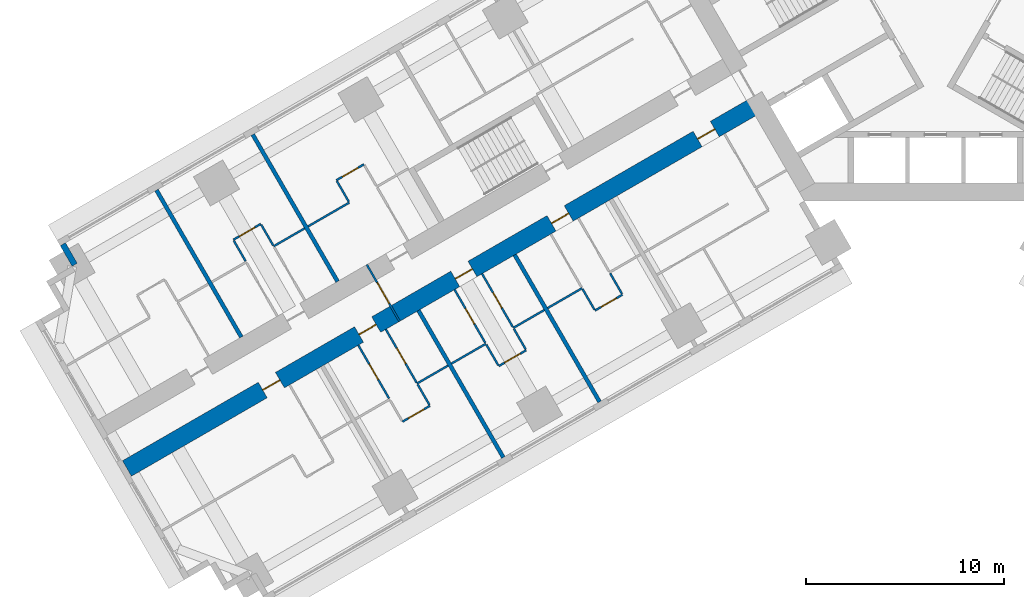
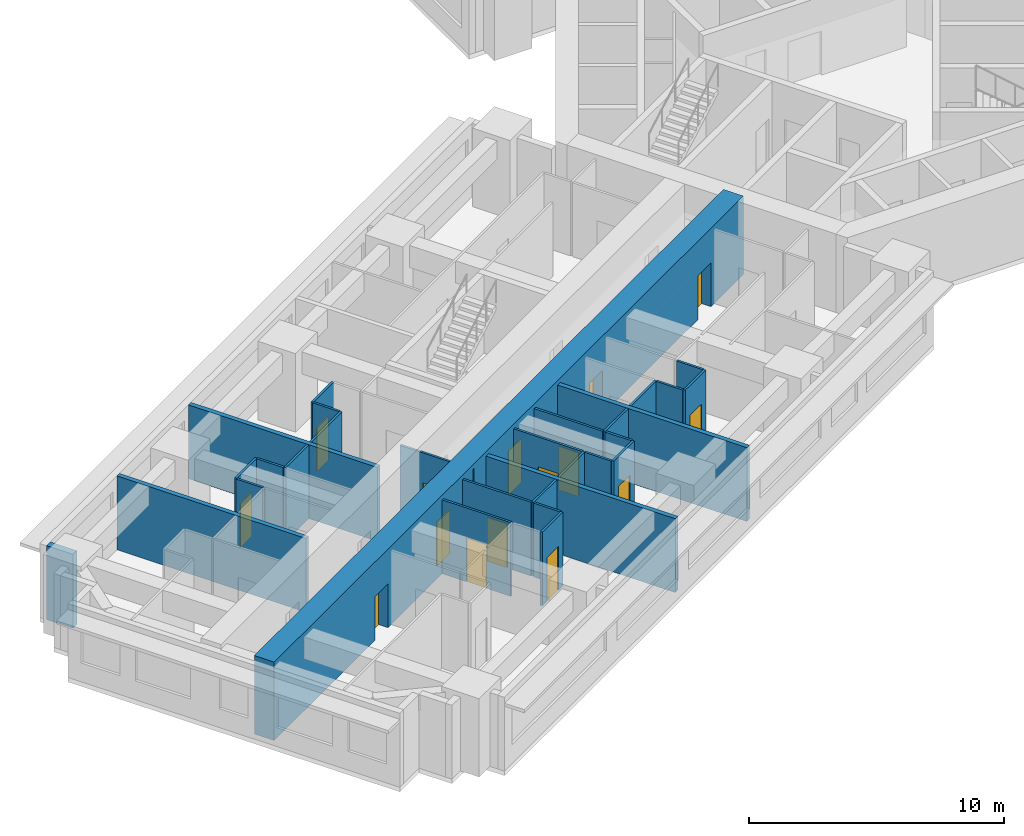
# One storey, part 4 of 16: 30 walls, 15 doors, 15 openings.
"""IFC4 building model written with IfcOpenShell, lengths in metres."""

from ifc_helpers import new_model, si_unit, direction, frame, frame_2d, origin, place, context, subcontext, project, spatial, rectangle, extrude, material, layer, layer_set, type_object, element, fill, save


model = new_model("IFC4")

# Units and contexts
model_context = context("Model", 3, precision=1e-05, world=origin(), true_north=direction((0.0, 1.0)))
body_context = subcontext(model_context, "Body", "Model", "MODEL_VIEW")
ifc_project = project(units=[si_unit("LENGTHUNIT", "METRE"), si_unit("AREAUNIT", "SQUARE_METRE"), si_unit("VOLUMEUNIT", "CUBIC_METRE"), si_unit("PLANEANGLEUNIT", "RADIAN"), si_unit("MASSUNIT", "GRAM", prefix="KILO")], contexts=[model_context])

# Site, building, storey
site_placement = place(None, origin())
site = spatial("IfcSite", under=ifc_project, at=site_placement, CompositionType="ELEMENT")
building_placement = place(site_placement, origin())
building = spatial("IfcBuilding", under=site, at=building_placement, Name="Impinga Residences", CompositionType="ELEMENT")
storey_placement = place(building_placement, frame((0.0, 0.0, 44.75)))
storey = spatial("IfcBuildingStorey", under=building, at=storey_placement, Name="L10", CompositionType="ELEMENT", Elevation=44.75)

# Wall, openings, doors
ifc_material_1 = material(Name="Concrete C70/85", Category="concrete")
ifc_layer_1 = layer(ifc_material_1, 0.89990234375)
ifc_layer_set_1 = layer_set([ifc_layer_1], Name="Concrete C70/85")
wall_type_1 = type_object("IfcWallType", Name="BW1 corridor buttress wall, L05 to L22 900", PredefinedType="SHEAR", material=ifc_layer_set_1)
wall_1_placement = place(storey_placement, frame((-8.910400390625, -6.530029296875, 0.0), z_axis=(0.0, 0.0, 1.0), x_axis=(-0.866025284237, -0.500000207062, 0.0)))
wall_1 = element("IfcWall", 1, at=wall_1_placement, inside=storey, type_object=wall_type_1, Name="Corridor wall BW1 WC L10", PredefinedType="SHEAR", context=body_context, shape_type="SweptSolid", body=[
    extrude(rectangle(XDim=36.75, YDim=0.89990234375, at=frame_2d((18.375, 0.0))), origin(), (0.0, 0.0, 1.0), 3.75),
])
opening_1_placement = place(wall_1_placement, frame((2.550048828125, 0.0, 0.0)))
opening_1 = element("IfcOpeningElement", 2, at=opening_1_placement, cuts=wall_1, Name="Opening D1", PredefinedType="OPENING", context=body_context, shape_type="SweptSolid", body=[
    extrude(rectangle(XDim=1.0, YDim=2.10009765625, at=frame_2d((0.5, 1.050048828125))), frame((0.0, 0.4599609375, 0.0), z_axis=(0.0, -1.0, 0.0), x_axis=(1.0, 0.0, 0.0)), (0.0, 0.0, 1.0), 0.919921875),
])
opening_2_placement = place(wall_1_placement, frame((11.050048828125, 0.0, 0.0)))
opening_2 = element("IfcOpeningElement", 3, at=opening_2_placement, cuts=wall_1, Name="Opening D1", PredefinedType="OPENING", context=body_context, shape_type="SweptSolid", body=[
    extrude(rectangle(XDim=1.0, YDim=2.10009765625, at=frame_2d((0.5, 1.050048828125))), frame((0.0, 0.4599609375, 0.0), z_axis=(0.0, -1.0, 0.0), x_axis=(1.0, 0.0, 0.0)), (0.0, 0.0, 1.0), 0.919921875),
])
opening_3_placement = place(wall_1_placement, frame((16.64990234375, 0.0, 0.0)))
opening_3 = element("IfcOpeningElement", 4, at=opening_3_placement, cuts=wall_1, Name="Opening D1", PredefinedType="OPENING", context=body_context, shape_type="SweptSolid", body=[
    extrude(rectangle(XDim=1.0, YDim=2.10009765625, at=frame_2d((0.5, 1.050048828125))), frame((0.0, 0.4599609375, 0.0), z_axis=(0.0, -1.0, 0.0), x_axis=(1.0, 0.0, 0.0)), (0.0, 0.0, 1.0), 0.919921875),
])
opening_4_placement = place(wall_1_placement, frame((22.25, 0.0, 0.0)))
opening_4 = element("IfcOpeningElement", 5, at=opening_4_placement, cuts=wall_1, Name="Opening D1", PredefinedType="OPENING", context=body_context, shape_type="SweptSolid", body=[
    extrude(rectangle(XDim=1.0, YDim=2.10009765625, at=frame_2d((0.5, 1.050048828125))), frame((0.0, 0.4599609375, 0.0), z_axis=(0.0, -1.0, 0.0), x_axis=(1.0, 0.0, 0.0)), (0.0, 0.0, 1.0), 0.919921875),
])
opening_5_placement = place(wall_1_placement, frame((27.85009765625, 0.0, 0.0)))
opening_5 = element("IfcOpeningElement", 6, at=opening_5_placement, cuts=wall_1, Name="Opening D1", PredefinedType="OPENING", context=body_context, shape_type="SweptSolid", body=[
    extrude(rectangle(XDim=1.0, YDim=2.10009765625, at=frame_2d((0.5, 1.050048828125))), frame((0.0, 0.4599609375, 0.0), z_axis=(0.0, -1.0, 0.0), x_axis=(1.0, 0.0, 0.0)), (0.0, 0.0, 1.0), 0.919921875),
])
ifc_material_2 = material(Name="Timber door set", Category="wood")
door_type_1 = type_object("IfcDoorType", Name="D1 apartment entrance door 1000x2100", OperationType="SINGLE_SWING_LEFT", PredefinedType="DOOR", material=ifc_material_2)
door_1_placement = place(opening_1_placement, origin())
door_1 = element("IfcDoor", 7, at=door_1_placement, inside=storey, type_object=door_type_1, Name="Apartment L10-WA1 entrance", OperationType="SINGLE_SWING_LEFT", OverallHeight=2.10009765625, OverallWidth=1.0, PredefinedType="DOOR", context=body_context, shape_type="SweptSolid", body=[
    extrude(rectangle(XDim=1.0, YDim=2.10009765625, at=frame_2d((0.5, 1.050048828125))), frame((0.0, 0.02490234375, 0.0), z_axis=(0.0, -1.0, 0.0), x_axis=(1.0, 0.0, 0.0)), (0.0, 0.0, 1.0), 0.050048828125),
])
fill(opening_1, door_1)
door_2_placement = place(opening_2_placement, origin())
door_2 = element("IfcDoor", 8, at=door_2_placement, inside=storey, type_object=door_type_1, Name="Apartment L10-WA2 entrance", OperationType="SINGLE_SWING_LEFT", OverallHeight=2.10009765625, OverallWidth=1.0, PredefinedType="DOOR", context=body_context, shape_type="SweptSolid", body=[
    extrude(rectangle(XDim=1.0, YDim=2.10009765625, at=frame_2d((0.5, 1.050048828125))), frame((0.0, 0.02490234375, 0.0), z_axis=(0.0, -1.0, 0.0), x_axis=(1.0, 0.0, 0.0)), (0.0, 0.0, 1.0), 0.050048828125),
])
fill(opening_2, door_2)
door_3_placement = place(opening_3_placement, origin())
door_3 = element("IfcDoor", 9, at=door_3_placement, inside=storey, type_object=door_type_1, Name="Apartment L10-WA3 entrance", OperationType="SINGLE_SWING_LEFT", OverallHeight=2.10009765625, OverallWidth=1.0, PredefinedType="DOOR", context=body_context, shape_type="SweptSolid", body=[
    extrude(rectangle(XDim=1.0, YDim=2.10009765625, at=frame_2d((0.5, 1.050048828125))), frame((0.0, 0.02490234375, 0.0), z_axis=(0.0, -1.0, 0.0), x_axis=(1.0, 0.0, 0.0)), (0.0, 0.0, 1.0), 0.050048828125),
])
fill(opening_3, door_3)
door_4_placement = place(opening_4_placement, origin())
door_4 = element("IfcDoor", 10, at=door_4_placement, inside=storey, type_object=door_type_1, Name="Apartment L10-WA4 entrance", OperationType="SINGLE_SWING_RIGHT", OverallHeight=2.10009765625, OverallWidth=1.0, PredefinedType="DOOR", context=body_context, shape_type="SweptSolid", body=[
    extrude(rectangle(XDim=1.0, YDim=2.10009765625, at=frame_2d((0.5, 1.050048828125))), frame((0.0, 0.02490234375, 0.0), z_axis=(0.0, -1.0, 0.0), x_axis=(1.0, 0.0, 0.0)), (0.0, 0.0, 1.0), 0.050048828125),
])
fill(opening_4, door_4)
door_5_placement = place(opening_5_placement, origin())
door_5 = element("IfcDoor", 11, at=door_5_placement, inside=storey, type_object=door_type_1, Name="Apartment L10-WA5 entrance", OperationType="SINGLE_SWING_RIGHT", OverallHeight=2.10009765625, OverallWidth=1.0, PredefinedType="DOOR", context=body_context, shape_type="SweptSolid", body=[
    extrude(rectangle(XDim=1.0, YDim=2.10009765625, at=frame_2d((0.5, 1.050048828125))), frame((0.0, 0.02490234375, 0.0), z_axis=(0.0, -1.0, 0.0), x_axis=(1.0, 0.0, 0.0)), (0.0, 0.0, 1.0), 0.050048828125),
])
fill(opening_5, door_5)

# Wall, opening, door
ifc_material_3 = material(Name="Concrete blockwork", Category="masonry")
ifc_layer_2 = layer(ifc_material_3, 0.10009765625)
ifc_layer_set_2 = layer_set([ifc_layer_2], Name="CP1 core room partition, blockwork 100")
wall_type_2 = type_object("IfcWallType", Name="CP1 core room partition, blockwork 100", PredefinedType="PARTITIONING", material=ifc_layer_set_2)
wall_2_placement = place(storey_placement, frame((-27.002197265625, -17.494873046875, 0.0), z_axis=(0.0, 0.0, 1.0), x_axis=(-0.499974350878, 0.866040211805, 0.0)))
wall_2 = element("IfcWall", 12, at=wall_2_placement, inside=storey, type_object=wall_type_2, Name="Core room partition, blockwork L10:W:SCR", PredefinedType="PARTITIONING", context=body_context, shape_type="SweptSolid", body=[
    extrude(rectangle(XDim=3.300048828125, YDim=0.10009765625, at=frame_2d((1.64990234375, 0.0))), origin(), (0.0, 0.0, 1.0), 3.530029296875),
])
opening_6_placement = place(wall_2_placement, frame((1.050048828125, 0.0, 0.0)))
opening_6 = element("IfcOpeningElement", 13, at=opening_6_placement, cuts=wall_2, Name="Opening D3", PredefinedType="OPENING", context=body_context, shape_type="SweptSolid", body=[
    extrude(rectangle(XDim=1.199951171875, YDim=2.10009765625, at=frame_2d((0.60009765625, 1.050048828125))), frame((0.0, 0.06005859375, 0.0), z_axis=(0.0, -1.0, 0.0), x_axis=(1.0, 0.0, 0.0)), (0.0, 0.0, 1.0), 0.1201171875),
])
door_type_2 = type_object("IfcDoorType", Name="D3 room door, leaf and a half 1200x2100", OperationType="DOUBLE_SWING_LEFT", PredefinedType="DOOR", material=ifc_material_2)
door_6_placement = place(opening_6_placement, origin())
door_6 = element("IfcDoor", 14, at=door_6_placement, inside=storey, type_object=door_type_2, Name="Corridor smoke door W", OperationType="DOUBLE_SWING_LEFT", OverallHeight=2.10009765625, OverallWidth=1.199951171875, PredefinedType="DOOR", context=body_context, shape_type="SweptSolid", body=[
    extrude(rectangle(XDim=1.199951171875, YDim=2.10009765625, at=frame_2d((0.60009765625, 1.050048828125))), frame((0.0, 0.02490234375, 0.0), z_axis=(0.0, -1.0, 0.0), x_axis=(1.0, 0.0, 0.0)), (0.0, 0.0, 1.0), 0.050048828125),
])
fill(opening_6, door_6)

# Walls
ifc_material_4 = material(Name="Terracotta rainscreen on blockwork", Category="masonry")
ifc_layer_3 = layer(ifc_material_4, 0.300048828125)
ifc_layer_set_3 = layer_set([ifc_layer_3], Name="EW1 external wall, terracotta rainscreen on blockwork 300")
wall_type_3 = type_object("IfcWallType", Name="EW1 external wall, terracotta rainscreen on blockwork 300", PredefinedType="SOLIDWALL", material=ifc_layer_set_3)
wall_3_placement = place(storey_placement, frame((-43.37109375, -14.64208984375, 0.0), z_axis=(0.0, 0.0, 1.0), x_axis=(-0.500029051137, 0.866008630453, 0.0)))
element("IfcWall", 15, at=wall_3_placement, inside=storey, type_object=wall_type_3, Name="External wall EW1 L10", PredefinedType="SOLIDWALL", context=body_context, shape_type="SweptSolid", body=[
    extrude(rectangle(XDim=1.19482421875, YDim=0.300048828125, at=frame_2d((0.597412109375, 0.0))), origin(), (0.0, 0.0, 1.0), 3.530029296875),
])
ifc_material_5 = material(Name="Gypsum board on steel studs", Category="steel")
ifc_layer_4 = layer(ifc_material_5, 0.10009765625)
ifc_layer_set_4 = layer_set([ifc_layer_4], Name="Gypsum board on steel studs")
wall_type_4 = type_object("IfcWallType", Name="IP1 partition 100", PredefinedType="PARTITIONING", material=ifc_layer_set_4)
wall_4_placement = place(storey_placement, frame((-17.8056640625, -15.82275390625, 0.0), z_axis=(0.0, 0.0, 1.0), x_axis=(-0.866041268327, -0.499972520799, 0.0)))
element("IfcWall", 16, at=wall_4_placement, inside=storey, type_object=wall_type_4, Name="Partition L10-WA2:DIV1", PredefinedType="PARTITIONING", context=body_context, shape_type="SweptSolid", body=[
    extrude(rectangle(XDim=2.0, YDim=0.10009765625, at=frame_2d((1.0, 0.0))), origin(), (0.0, 0.0, 1.0), 3.530029296875),
])

# Wall, opening, door
wall_5_placement = place(storey_placement, frame((-15.77001953125, -16.1484375, 0.0), z_axis=(0.0, 0.0, 1.0), x_axis=(-0.866028054938, -0.499995408039, 0.0)))
wall_5 = element("IfcWall", 17, at=wall_5_placement, inside=storey, type_object=wall_type_4, Name="Partition L10-WA2:STRIP", PredefinedType="PARTITIONING", context=body_context, shape_type="SweptSolid", body=[
    extrude(rectangle(XDim=1.60009765625, YDim=0.10009765625, at=frame_2d((0.800048828125, 0.0))), origin(), (0.0, 0.0, 1.0), 3.530029296875),
])
opening_7_placement = place(wall_5_placement, frame((0.35009765625, 0.0, 0.0)))
opening_7 = element("IfcOpeningElement", 18, at=opening_7_placement, cuts=wall_5, Name="Opening D2", PredefinedType="OPENING", context=body_context, shape_type="SweptSolid", body=[
    extrude(rectangle(XDim=0.89990234375, YDim=2.10009765625, at=frame_2d((0.449951171875, 1.050048828125))), frame((0.0, 0.06005859375, 0.0), z_axis=(0.0, -1.0, 0.0), x_axis=(1.0, 0.0, 0.0)), (0.0, 0.0, 1.0), 0.1201171875),
])
door_type_3 = type_object("IfcDoorType", Name="D2 internal door 900x2100", OperationType="SINGLE_SWING_LEFT", PredefinedType="DOOR", material=ifc_material_2)
door_7_placement = place(opening_7_placement, origin())
door_7 = element("IfcDoor", 19, at=door_7_placement, inside=storey, type_object=door_type_3, Name="Apartment L10-WA2 room door", OperationType="SINGLE_SWING_LEFT", OverallHeight=2.10009765625, OverallWidth=0.89990234375, PredefinedType="DOOR", context=body_context, shape_type="SweptSolid", body=[
    extrude(rectangle(XDim=0.89990234375, YDim=2.10009765625, at=frame_2d((0.449951171875, 1.050048828125))), frame((0.0, 0.02490234375, 0.0), z_axis=(0.0, -1.0, 0.0), x_axis=(1.0, 0.0, 0.0)), (0.0, 0.0, 1.0), 0.050048828125),
])
fill(opening_7, door_7)

# Walls
wall_6_placement = place(storey_placement, frame((-16.39501953125, -15.06591796875, 0.0), z_axis=(0.0, 0.0, 1.0), x_axis=(0.499880961361, -0.866094119867, 0.0)))
element("IfcWall", 20, at=wall_6_placement, inside=storey, type_object=wall_type_4, Name="Partition L10-WA2:SE0", PredefinedType="PARTITIONING", context=body_context, shape_type="SweptSolid", body=[
    extrude(rectangle(XDim=1.199951171875, YDim=0.10009765625, at=frame_2d((0.60009765625, 0.0))), origin(), (0.0, 0.0, 1.0), 3.530029296875),
])
wall_7_placement = place(storey_placement, frame((-17.78076171875, -15.865966796875, 0.0), z_axis=(0.0, 0.0, 1.0), x_axis=(0.500033551112, -0.866006032174, 0.0)))
element("IfcWall", 21, at=wall_7_placement, inside=storey, type_object=wall_type_4, Name="Partition L10-WA2:SE1", PredefinedType="PARTITIONING", context=body_context, shape_type="SweptSolid", body=[
    extrude(rectangle(XDim=1.2001953125, YDim=0.10009765625, at=frame_2d((0.60009765625, 0.0))), origin(), (0.0, 0.0, 1.0), 3.530029296875),
])
wall_8_placement = place(storey_placement, frame((-19.7109375, -16.922607421875, 0.0), z_axis=(0.0, 0.0, 1.0), x_axis=(-0.865989075817, -0.500062916607, 0.0)))
element("IfcWall", 22, at=wall_8_placement, inside=storey, type_object=wall_type_4, Name="Partition L10-WA3:DIV0", PredefinedType="PARTITIONING", context=body_context, shape_type="SweptSolid", body=[
    extrude(rectangle(XDim=1.800048828125, YDim=0.10009765625, at=frame_2d((0.89990234375, 0.0))), origin(), (0.0, 0.0, 1.0), 3.530029296875),
])
wall_9_placement = place(storey_placement, frame((-22.655517578125, -18.622802734375, 0.0), z_axis=(0.0, 0.0, 1.0), x_axis=(-0.866010750942, -0.50002537861, 0.0)))
element("IfcWall", 23, at=wall_9_placement, inside=storey, type_object=wall_type_4, Name="Partition L10-WA3:DIV1", PredefinedType="PARTITIONING", context=body_context, shape_type="SweptSolid", body=[
    extrude(rectangle(XDim=2.0, YDim=0.10009765625, at=frame_2d((1.0, 0.0))), origin(), (0.0, 0.0, 1.0), 3.530029296875),
])

# Wall, opening, door
wall_10_placement = place(storey_placement, frame((-20.619873046875, -18.948486328125, 0.0), z_axis=(0.0, 0.0, 1.0), x_axis=(-0.865989903783, -0.500061482766, 0.0)))
wall_10 = element("IfcWall", 24, at=wall_10_placement, inside=storey, type_object=wall_type_4, Name="Partition L10-WA3:STRIP", PredefinedType="PARTITIONING", context=body_context, shape_type="SweptSolid", body=[
    extrude(rectangle(XDim=1.599853515625, YDim=0.10009765625, at=frame_2d((0.7998046875, 0.0))), origin(), (0.0, 0.0, 1.0), 3.530029296875),
])
opening_8_placement = place(wall_10_placement, frame((0.35009765625, 0.0, 0.0)))
opening_8 = element("IfcOpeningElement", 25, at=opening_8_placement, cuts=wall_10, Name="Opening D2", PredefinedType="OPENING", context=body_context, shape_type="SweptSolid", body=[
    extrude(rectangle(XDim=0.89990234375, YDim=2.10009765625, at=frame_2d((0.449951171875, 1.050048828125))), frame((0.0, 0.06005859375, 0.0), z_axis=(0.0, -1.0, 0.0), x_axis=(1.0, 0.0, 0.0)), (0.0, 0.0, 1.0), 0.1201171875),
])
door_8_placement = place(opening_8_placement, origin())
door_8 = element("IfcDoor", 26, at=door_8_placement, inside=storey, type_object=door_type_3, Name="Apartment L10-WA3 room door", OperationType="SINGLE_SWING_LEFT", OverallHeight=2.10009765625, OverallWidth=0.89990234375, PredefinedType="DOOR", context=body_context, shape_type="SweptSolid", body=[
    extrude(rectangle(XDim=0.89990234375, YDim=2.10009765625, at=frame_2d((0.449951171875, 1.050048828125))), frame((0.0, 0.02490234375, 0.0), z_axis=(0.0, -1.0, 0.0), x_axis=(1.0, 0.0, 0.0)), (0.0, 0.0, 1.0), 0.050048828125),
])
fill(opening_8, door_8)

# Walls
wall_11_placement = place(storey_placement, frame((-21.244873046875, -17.865966796875, 0.0), z_axis=(0.0, 0.0, 1.0), x_axis=(0.500033551112, -0.866006032174, 0.0)))
element("IfcWall", 27, at=wall_11_placement, inside=storey, type_object=wall_type_4, Name="Partition L10-WA3:SE0", PredefinedType="PARTITIONING", context=body_context, shape_type="SweptSolid", body=[
    extrude(rectangle(XDim=1.2001953125, YDim=0.10009765625, at=frame_2d((0.60009765625, 0.0))), origin(), (0.0, 0.0, 1.0), 3.530029296875),
])
wall_12_placement = place(storey_placement, frame((-22.63037109375, -18.666015625, 0.0), z_axis=(0.0, 0.0, 1.0), x_axis=(0.499880961361, -0.866094119867, 0.0)))
element("IfcWall", 28, at=wall_12_placement, inside=storey, type_object=wall_type_4, Name="Partition L10-WA3:SE1", PredefinedType="PARTITIONING", context=body_context, shape_type="SweptSolid", body=[
    extrude(rectangle(XDim=1.199951171875, YDim=0.10009765625, at=frame_2d((0.60009765625, 0.0))), origin(), (0.0, 0.0, 1.0), 3.530029296875),
])

# Wall, opening, door
wall_13_placement = place(storey_placement, frame((-22.8447265625, -15.0947265625, 0.0), z_axis=(0.0, 0.0, 1.0), x_axis=(0.499967891604, -0.866043940782, 0.0)))
wall_13 = element("IfcWall", 29, at=wall_13_placement, inside=storey, type_object=wall_type_4, Name="Partition L10-WA3:IB1", PredefinedType="PARTITIONING", context=body_context, shape_type="SweptSolid", body=[
    extrude(rectangle(XDim=3.099853515625, YDim=0.10009765625, at=frame_2d((1.5498046875, 0.0))), origin(), (0.0, 0.0, 1.0), 3.530029296875),
])
opening_9_placement = place(wall_13_placement, frame((1.10009765625, 0.0, 0.0)))
opening_9 = element("IfcOpeningElement", 30, at=opening_9_placement, cuts=wall_13, Name="Opening D2", PredefinedType="OPENING", context=body_context, shape_type="SweptSolid", body=[
    extrude(rectangle(XDim=0.89990234375, YDim=2.10009765625, at=frame_2d((0.449951171875, 1.050048828125))), frame((0.0, 0.06005859375, 0.0), z_axis=(0.0, -1.0, 0.0), x_axis=(1.0, 0.0, 0.0)), (0.0, 0.0, 1.0), 0.1201171875),
])
door_9_placement = place(opening_9_placement, origin())
door_9 = element("IfcDoor", 31, at=door_9_placement, inside=storey, type_object=door_type_3, Name="Apartment L10-WA3 bathroom door", OperationType="SINGLE_SWING_LEFT", OverallHeight=2.10009765625, OverallWidth=0.89990234375, PredefinedType="DOOR", context=body_context, shape_type="SweptSolid", body=[
    extrude(rectangle(XDim=0.89990234375, YDim=2.10009765625, at=frame_2d((0.449951171875, 1.050048828125))), frame((0.0, 0.02490234375, 0.0), z_axis=(0.0, -1.0, 0.0), x_axis=(1.0, 0.0, 0.0)), (0.0, 0.0, 1.0), 0.050048828125),
])
fill(opening_9, door_9)

wall_14_placement = place(storey_placement, frame((-24.23046875, -15.894775390625, 0.0), z_axis=(0.0, 0.0, 1.0), x_axis=(0.500026960575, -0.86600983753, 0.0)))
wall_14 = element("IfcWall", 32, at=wall_14_placement, inside=storey, type_object=wall_type_4, Name="Partition L10-WA3:IB2", PredefinedType="PARTITIONING", context=body_context, shape_type="SweptSolid", body=[
    extrude(rectangle(XDim=3.099853515625, YDim=0.10009765625, at=frame_2d((1.5498046875, 0.0))), origin(), (0.0, 0.0, 1.0), 3.530029296875),
])
opening_10_placement = place(wall_14_placement, frame((1.10009765625, 0.0, 0.0)))
opening_10 = element("IfcOpeningElement", 33, at=opening_10_placement, cuts=wall_14, Name="Opening D2", PredefinedType="OPENING", context=body_context, shape_type="SweptSolid", body=[
    extrude(rectangle(XDim=0.89990234375, YDim=2.10009765625, at=frame_2d((0.449951171875, 1.050048828125))), frame((0.0, 0.06005859375, 0.0), z_axis=(0.0, -1.0, 0.0), x_axis=(1.0, 0.0, 0.0)), (0.0, 0.0, 1.0), 0.1201171875),
])
door_10_placement = place(opening_10_placement, origin())
door_10 = element("IfcDoor", 34, at=door_10_placement, inside=storey, type_object=door_type_3, Name="Apartment L10-WA3 WC door", OperationType="SINGLE_SWING_LEFT", OverallHeight=2.10009765625, OverallWidth=0.89990234375, PredefinedType="DOOR", context=body_context, shape_type="SweptSolid", body=[
    extrude(rectangle(XDim=0.89990234375, YDim=2.10009765625, at=frame_2d((0.449951171875, 1.050048828125))), frame((0.0, 0.02490234375, 0.0), z_axis=(0.0, -1.0, 0.0), x_axis=(1.0, 0.0, 0.0)), (0.0, 0.0, 1.0), 0.050048828125),
])
fill(opening_10, door_10)

# Wall
wall_15_placement = place(storey_placement, frame((-24.560791015625, -19.72265625, 0.0), z_axis=(0.0, 0.0, 1.0), x_axis=(-0.865989075817, -0.500062916607, 0.0)))
element("IfcWall", 35, at=wall_15_placement, inside=storey, type_object=wall_type_4, Name="Partition L10-WA4:DIV0", PredefinedType="PARTITIONING", context=body_context, shape_type="SweptSolid", body=[
    extrude(rectangle(XDim=1.800048828125, YDim=0.10009765625, at=frame_2d((0.89990234375, 0.0))), origin(), (0.0, 0.0, 1.0), 3.530029296875),
])

# Wall, opening, door
wall_16_placement = place(storey_placement, frame((-25.469482421875, -21.74853515625, 0.0), z_axis=(0.0, 0.0, 1.0), x_axis=(-0.866028054938, -0.499995408039, 0.0)))
wall_16 = element("IfcWall", 36, at=wall_16_placement, inside=storey, type_object=wall_type_4, Name="Partition L10-WA4:STRIP", PredefinedType="PARTITIONING", context=body_context, shape_type="SweptSolid", body=[
    extrude(rectangle(XDim=1.60009765625, YDim=0.10009765625, at=frame_2d((0.800048828125, 0.0))), origin(), (0.0, 0.0, 1.0), 3.530029296875),
])
opening_11_placement = place(wall_16_placement, frame((0.35009765625, 0.0, 0.0)))
opening_11 = element("IfcOpeningElement", 37, at=opening_11_placement, cuts=wall_16, Name="Opening D2", PredefinedType="OPENING", context=body_context, shape_type="SweptSolid", body=[
    extrude(rectangle(XDim=0.89990234375, YDim=2.10009765625, at=frame_2d((0.449951171875, 1.050048828125))), frame((0.0, 0.06005859375, 0.0), z_axis=(0.0, -1.0, 0.0), x_axis=(1.0, 0.0, 0.0)), (0.0, 0.0, 1.0), 0.1201171875),
])
door_11_placement = place(opening_11_placement, origin())
door_11 = element("IfcDoor", 38, at=door_11_placement, inside=storey, type_object=door_type_3, Name="Apartment L10-WA4 room door", OperationType="SINGLE_SWING_LEFT", OverallHeight=2.10009765625, OverallWidth=0.89990234375, PredefinedType="DOOR", context=body_context, shape_type="SweptSolid", body=[
    extrude(rectangle(XDim=0.89990234375, YDim=2.10009765625, at=frame_2d((0.449951171875, 1.050048828125))), frame((0.0, 0.02490234375, 0.0), z_axis=(0.0, -1.0, 0.0), x_axis=(1.0, 0.0, 0.0)), (0.0, 0.0, 1.0), 0.050048828125),
])
fill(opening_11, door_11)

# Wall
wall_17_placement = place(storey_placement, frame((-26.094482421875, -20.666015625, 0.0), z_axis=(0.0, 0.0, 1.0), x_axis=(0.499880961361, -0.866094119867, 0.0)))
element("IfcWall", 39, at=wall_17_placement, inside=storey, type_object=wall_type_4, Name="Partition L10-WA4:SE0", PredefinedType="PARTITIONING", context=body_context, shape_type="SweptSolid", body=[
    extrude(rectangle(XDim=1.199951171875, YDim=0.10009765625, at=frame_2d((0.60009765625, 0.0))), origin(), (0.0, 0.0, 1.0), 3.530029296875),
])

# Wall, opening, door
wall_18_placement = place(storey_placement, frame((-27.694580078125, -17.894775390625, 0.0), z_axis=(0.0, 0.0, 1.0), x_axis=(0.500026960575, -0.86600983753, 0.0)))
wall_18 = element("IfcWall", 40, at=wall_18_placement, inside=storey, type_object=wall_type_4, Name="Partition L10-WA4:IB1", PredefinedType="PARTITIONING", context=body_context, shape_type="SweptSolid", body=[
    extrude(rectangle(XDim=3.099853515625, YDim=0.10009765625, at=frame_2d((1.5498046875, 0.0))), origin(), (0.0, 0.0, 1.0), 3.530029296875),
])
opening_12_placement = place(wall_18_placement, frame((1.10009765625, 0.0, 0.0)))
opening_12 = element("IfcOpeningElement", 41, at=opening_12_placement, cuts=wall_18, Name="Opening D2", PredefinedType="OPENING", context=body_context, shape_type="SweptSolid", body=[
    extrude(rectangle(XDim=0.89990234375, YDim=2.10009765625, at=frame_2d((0.449951171875, 1.050048828125))), frame((0.0, 0.06005859375, 0.0), z_axis=(0.0, -1.0, 0.0), x_axis=(1.0, 0.0, 0.0)), (0.0, 0.0, 1.0), 0.1201171875),
])
door_12_placement = place(opening_12_placement, origin())
door_12 = element("IfcDoor", 42, at=door_12_placement, inside=storey, type_object=door_type_3, Name="Apartment L10-WA4 bathroom door", OperationType="SINGLE_SWING_LEFT", OverallHeight=2.10009765625, OverallWidth=0.89990234375, PredefinedType="DOOR", context=body_context, shape_type="SweptSolid", body=[
    extrude(rectangle(XDim=0.89990234375, YDim=2.10009765625, at=frame_2d((0.449951171875, 1.050048828125))), frame((0.0, 0.02490234375, 0.0), z_axis=(0.0, -1.0, 0.0), x_axis=(1.0, 0.0, 0.0)), (0.0, 0.0, 1.0), 0.050048828125),
])
fill(opening_12, door_12)

wall_19_placement = place(storey_placement, frame((-29.080078125, -18.69482421875, 0.0), z_axis=(0.0, 0.0, 1.0), x_axis=(0.499967891604, -0.866043940782, 0.0)))
wall_19 = element("IfcWall", 43, at=wall_19_placement, inside=storey, type_object=wall_type_4, Name="Partition L10-WA4:IB2", PredefinedType="PARTITIONING", context=body_context, shape_type="SweptSolid", body=[
    extrude(rectangle(XDim=3.099853515625, YDim=0.10009765625, at=frame_2d((1.5498046875, 0.0))), origin(), (0.0, 0.0, 1.0), 3.530029296875),
])
opening_13_placement = place(wall_19_placement, frame((1.10009765625, 0.0, 0.0)))
opening_13 = element("IfcOpeningElement", 44, at=opening_13_placement, cuts=wall_19, Name="Opening D2", PredefinedType="OPENING", context=body_context, shape_type="SweptSolid", body=[
    extrude(rectangle(XDim=0.89990234375, YDim=2.10009765625, at=frame_2d((0.449951171875, 1.050048828125))), frame((0.0, 0.06005859375, 0.0), z_axis=(0.0, -1.0, 0.0), x_axis=(1.0, 0.0, 0.0)), (0.0, 0.0, 1.0), 0.1201171875),
])
door_13_placement = place(opening_13_placement, origin())
door_13 = element("IfcDoor", 45, at=door_13_placement, inside=storey, type_object=door_type_3, Name="Apartment L10-WA4 WC door", OperationType="SINGLE_SWING_LEFT", OverallHeight=2.10009765625, OverallWidth=0.89990234375, PredefinedType="DOOR", context=body_context, shape_type="SweptSolid", body=[
    extrude(rectangle(XDim=0.89990234375, YDim=2.10009765625, at=frame_2d((0.449951171875, 1.050048828125))), frame((0.0, 0.02490234375, 0.0), z_axis=(0.0, -1.0, 0.0), x_axis=(1.0, 0.0, 0.0)), (0.0, 0.0, 1.0), 0.050048828125),
])
fill(opening_13, door_13)

# Wall
wall_20_placement = place(storey_placement, frame((-29.533935546875, -11.5087890625, 0.0), z_axis=(0.0, 0.0, 1.0), x_axis=(-0.866024647952, -0.500001309137, 0.0)))
element("IfcWall", 46, at=wall_20_placement, inside=storey, type_object=wall_type_4, Name="Partition L10-WF2:DIV1", PredefinedType="PARTITIONING", context=body_context, shape_type="SweptSolid", body=[
    extrude(rectangle(XDim=2.39990234375, YDim=0.10009765625, at=frame_2d((1.199951171875, 0.0))), origin(), (0.0, 0.0, 1.0), 3.530029296875),
])

# Wall, opening, door
wall_21_placement = place(storey_placement, frame((-28.79833984375, -9.5830078125, 0.0), z_axis=(0.0, 0.0, 1.0), x_axis=(-0.865989903783, -0.500061482766, 0.0)))
wall_21 = element("IfcWall", 47, at=wall_21_placement, inside=storey, type_object=wall_type_4, Name="Partition L10-WF2:STRIP", PredefinedType="PARTITIONING", context=body_context, shape_type="SweptSolid", body=[
    extrude(rectangle(XDim=1.599853515625, YDim=0.10009765625, at=frame_2d((0.7998046875, 0.0))), origin(), (0.0, 0.0, 1.0), 3.530029296875),
])
opening_14_placement = place(wall_21_placement, frame((0.35009765625, 0.0, 0.0)))
opening_14 = element("IfcOpeningElement", 48, at=opening_14_placement, cuts=wall_21, Name="Opening D2", PredefinedType="OPENING", context=body_context, shape_type="SweptSolid", body=[
    extrude(rectangle(XDim=0.89990234375, YDim=2.10009765625, at=frame_2d((0.449951171875, 1.050048828125))), frame((0.0, 0.06005859375, 0.0), z_axis=(0.0, -1.0, 0.0), x_axis=(1.0, 0.0, 0.0)), (0.0, 0.0, 1.0), 0.1201171875),
])
door_14_placement = place(opening_14_placement, origin())
door_14 = element("IfcDoor", 49, at=door_14_placement, inside=storey, type_object=door_type_3, Name="Apartment L10-WF2 room door", OperationType="SINGLE_SWING_LEFT", OverallHeight=2.10009765625, OverallWidth=0.89990234375, PredefinedType="DOOR", context=body_context, shape_type="SweptSolid", body=[
    extrude(rectangle(XDim=0.89990234375, YDim=2.10009765625, at=frame_2d((0.449951171875, 1.050048828125))), frame((0.0, 0.02490234375, 0.0), z_axis=(0.0, -1.0, 0.0), x_axis=(1.0, 0.0, 0.0)), (0.0, 0.0, 1.0), 0.050048828125),
])
fill(opening_14, door_14)

# Walls
wall_22_placement = place(storey_placement, frame((-29.558837890625, -11.465576171875, 0.0), z_axis=(0.0, 0.0, 1.0), x_axis=(-0.500033551112, 0.866006032174, 0.0)))
element("IfcWall", 50, at=wall_22_placement, inside=storey, type_object=wall_type_4, Name="Partition L10-WF2:SE1", PredefinedType="PARTITIONING", context=body_context, shape_type="SweptSolid", body=[
    extrude(rectangle(XDim=1.2001953125, YDim=0.10009765625, at=frame_2d((0.60009765625, 0.0))), origin(), (0.0, 0.0, 1.0), 3.530029296875),
])
wall_23_placement = place(storey_placement, frame((-31.78564453125, -12.808837890625, 0.0), z_axis=(0.0, 0.0, 1.0), x_axis=(-0.866047807691, -0.499961193289, 0.0)))
element("IfcWall", 51, at=wall_23_placement, inside=storey, type_object=wall_type_4, Name="Partition L10-WF3:DIV0", PredefinedType="PARTITIONING", context=body_context, shape_type="SweptSolid", body=[
    extrude(rectangle(XDim=1.800048828125, YDim=0.10009765625, at=frame_2d((0.89990234375, 0.0))), origin(), (0.0, 0.0, 1.0), 3.530029296875),
])

# Wall, opening, door
wall_24_placement = place(storey_placement, frame((-33.994384765625, -12.5830078125, 0.0), z_axis=(0.0, 0.0, 1.0), x_axis=(-0.866028054938, -0.499995408039, 0.0)))
wall_24 = element("IfcWall", 52, at=wall_24_placement, inside=storey, type_object=wall_type_4, Name="Partition L10-WF3:STRIP", PredefinedType="PARTITIONING", context=body_context, shape_type="SweptSolid", body=[
    extrude(rectangle(XDim=1.60009765625, YDim=0.10009765625, at=frame_2d((0.800048828125, 0.0))), origin(), (0.0, 0.0, 1.0), 3.530029296875),
])
opening_15_placement = place(wall_24_placement, frame((0.35009765625, 0.0, 0.0)))
opening_15 = element("IfcOpeningElement", 53, at=opening_15_placement, cuts=wall_24, Name="Opening D2", PredefinedType="OPENING", context=body_context, shape_type="SweptSolid", body=[
    extrude(rectangle(XDim=0.89990234375, YDim=2.10009765625, at=frame_2d((0.449951171875, 1.050048828125))), frame((0.0, 0.06005859375, 0.0), z_axis=(0.0, -1.0, 0.0), x_axis=(1.0, 0.0, 0.0)), (0.0, 0.0, 1.0), 0.1201171875),
])
door_15_placement = place(opening_15_placement, origin())
door_15 = element("IfcDoor", 54, at=door_15_placement, inside=storey, type_object=door_type_3, Name="Apartment L10-WF3 room door", OperationType="SINGLE_SWING_LEFT", OverallHeight=2.10009765625, OverallWidth=0.89990234375, PredefinedType="DOOR", context=body_context, shape_type="SweptSolid", body=[
    extrude(rectangle(XDim=0.89990234375, YDim=2.10009765625, at=frame_2d((0.449951171875, 1.050048828125))), frame((0.0, 0.02490234375, 0.0), z_axis=(0.0, -1.0, 0.0), x_axis=(1.0, 0.0, 0.0)), (0.0, 0.0, 1.0), 0.050048828125),
])
fill(opening_15, door_15)

# Walls
wall_25_placement = place(storey_placement, frame((-33.369384765625, -13.66552734375, 0.0), z_axis=(0.0, 0.0, 1.0), x_axis=(-0.500033551112, 0.866006032174, 0.0)))
element("IfcWall", 55, at=wall_25_placement, inside=storey, type_object=wall_type_4, Name="Partition L10-WF3:SE0", PredefinedType="PARTITIONING", context=body_context, shape_type="SweptSolid", body=[
    extrude(rectangle(XDim=1.2001953125, YDim=0.10009765625, at=frame_2d((0.60009765625, 0.0))), origin(), (0.0, 0.0, 1.0), 3.530029296875),
])
wall_26_placement = place(storey_placement, frame((-34.755126953125, -14.465576171875, 0.0), z_axis=(0.0, 0.0, 1.0), x_axis=(-0.499880961361, 0.866094119867, 0.0)))
element("IfcWall", 56, at=wall_26_placement, inside=storey, type_object=wall_type_4, Name="Partition L10-WF3:SE1", PredefinedType="PARTITIONING", context=body_context, shape_type="SweptSolid", body=[
    extrude(rectangle(XDim=1.199951171875, YDim=0.10009765625, at=frame_2d((0.60009765625, 0.0))), origin(), (0.0, 0.0, 1.0), 3.530029296875),
])
ifc_layer_5 = layer(ifc_material_3, 0.199951171875)
ifc_layer_set_5 = layer_set([ifc_layer_5], Name="PW1 party wall between apartments 200")
wall_type_5 = type_object("IfcWallType", Name="PW1 party wall between apartments 200", PredefinedType="SOLIDWALL", material=ifc_layer_set_5)
wall_27_placement = place(storey_placement, frame((-21.199462890625, -14.144775390625, 0.0), z_axis=(0.0, 0.0, 1.0), x_axis=(0.500011643316, -0.866018681408, 0.0)))
element("IfcWall", 57, at=wall_27_placement, inside=storey, type_object=wall_type_5, Name="Party wall between apartments L10-WA2:PARTY", PredefinedType="SOLIDWALL", context=body_context, shape_type="SweptSolid", body=[
    extrude(rectangle(XDim=8.550048828125, YDim=0.199951171875, at=frame_2d((4.27490234375, 0.0))), origin(), (0.0, 0.0, 1.0), 3.530029296875),
])
wall_28_placement = place(storey_placement, frame((-26.049072265625, -16.94482421875, 0.0), z_axis=(0.0, 0.0, 1.0), x_axis=(0.500002592159, -0.866023907196, 0.0)))
element("IfcWall", 58, at=wall_28_placement, inside=storey, type_object=wall_type_5, Name="Party wall between apartments L10-WA3:PARTY", PredefinedType="SOLIDWALL", context=body_context, shape_type="SweptSolid", body=[
    extrude(rectangle(XDim=8.5498046875, YDim=0.199951171875, at=frame_2d((4.27490234375, 0.0))), origin(), (0.0, 0.0, 1.0), 3.530029296875),
])
for number, where, z_axis, x_axis, name in (
    (59, (-30.1240234375, -15.48681640625, 0.0), (0.0, 0.0, 1.0), (-0.499990227581, 0.86603104582, 0.0), "Party wall between apartments L10-WF2:PARTY"),
    (60, (-34.9736328125, -18.286865234375, 0.0), (0.0, 0.0, 1.0), (-0.500011643316, 0.866018681408, 0.0), "Party wall between apartments L10-WF3:PARTY"),
):
    element("IfcWall", number, at=place(storey_placement, frame(where, z_axis=z_axis, x_axis=x_axis)), inside=storey, type_object=wall_type_5, Name=name, PredefinedType="SOLIDWALL", context=body_context, shape_type="SweptSolid", body=[
        extrude(rectangle(XDim=8.550048828125, YDim=0.199951171875, at=frame_2d((4.27490234375, 0.0))), origin(), (0.0, 0.0, 1.0), 3.530029296875),
    ])

save(model, "model.ifc")
